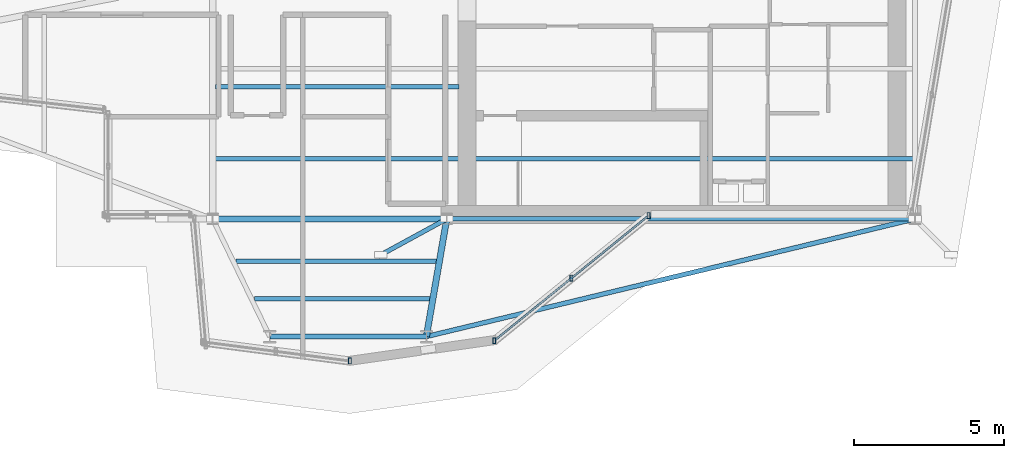
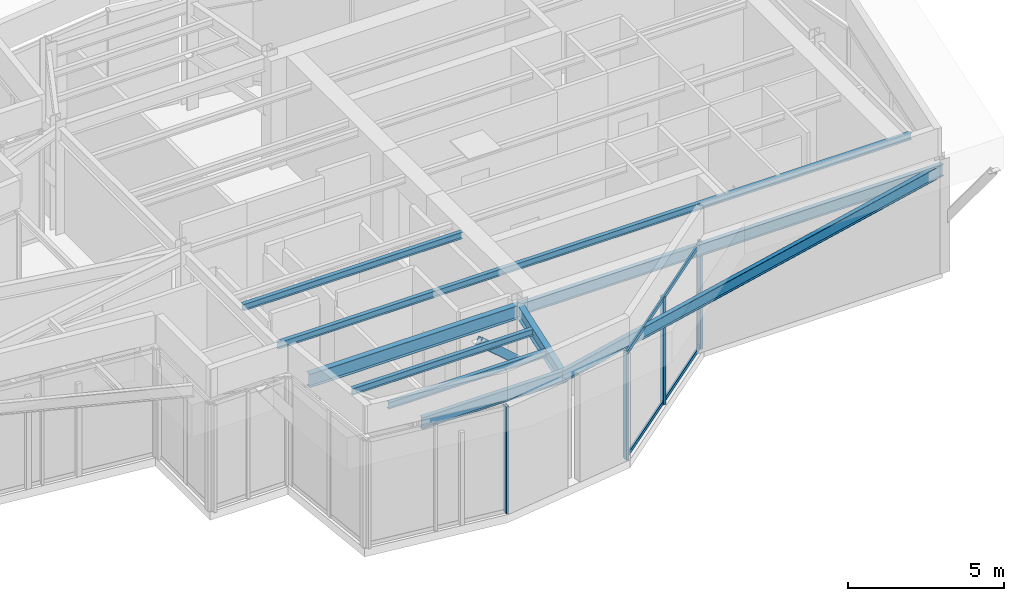
# One storey, part 3 of 11: 8 beams, 8 members, 2 elements without a shape of their own.
"""IFC4 building model written with IfcOpenShell, lengths in metres."""

from ifc_helpers import new_model, si_unit, direction, frame, origin, origin_2d, place, context, subcontext, project, spatial, hollow_rectangle, i_section, extrude, material, layer, layer_set, material_profile, profile_set, type_object, element, aggregate, save


model = new_model("IFC4")

# Units and contexts
model_context = context("Model", 3, precision=1e-05, world=origin(), true_north=direction((0.0, 1.0)))
body_context = subcontext(model_context, "Body", "Model", "MODEL_VIEW")
ifc_project = project(units=[si_unit("LENGTHUNIT", "METRE"), si_unit("AREAUNIT", "SQUARE_METRE"), si_unit("VOLUMEUNIT", "CUBIC_METRE"), si_unit("PLANEANGLEUNIT", "RADIAN"), si_unit("MASSUNIT", "GRAM", prefix="KILO")], contexts=[model_context])

# Site, building, storey
site_placement = place(None, origin())
site = spatial("IfcSite", under=ifc_project, at=site_placement, CompositionType="ELEMENT")
building_placement = place(site_placement, origin())
building = spatial("IfcBuilding", under=site, at=building_placement, Name="Veymaron Broadcast Tower", CompositionType="ELEMENT")
storey_placement = place(building_placement, frame((0.0, 0.0, 336.89990234375)))
storey = spatial("IfcBuildingStorey", under=building, at=storey_placement, Name="L79", CompositionType="ELEMENT", Elevation=336.89990234375)

# Beams
ifc_material_1 = material(Name="Structural steel ASTM A992 Gr 50", Category="steel")
ifc_material_profile_1 = material_profile(ifc_material_1, i_section(OverallWidth=0.208984375, OverallDepth=0.528076171875, WebThickness=0.009521484375, FlangeThickness=0.01318359375, at=origin_2d()), Name="W530X82")
ifc_profile_set_1 = profile_set([ifc_material_profile_1], Name="Structural steel ASTM A992 Gr 50")
beam_type_1 = type_object("IfcBeamType", Name="BM-FG4", PredefinedType="BEAM", material=ifc_profile_set_1)
beam_1_placement = place(storey_placement, frame((31.199951171875, 16.0, 3.906005859375), z_axis=(1.0, 0.0, 0.0), x_axis=(0.0, 1.0, 0.0)))
element("IfcBeam", 1, at=beam_1_placement, inside=storey, type_object=beam_type_1, Name="L79 primary structural floor girder", PredefinedType="BEAM", context=body_context, shape_type="SweptSolid", body=[
    extrude(i_section(OverallWidth=0.208984375, OverallDepth=0.528076171875, WebThickness=0.009521484375, FlangeThickness=0.01318359375, at=origin_2d()), origin(), (0.0, 0.0, 1.0), 7.800048828125),
])
beam_2_placement = place(storey_placement, frame((39.0, 16.0, 3.906005859375), z_axis=(-0.170903490874, -0.985287773601, 0.0), x_axis=(0.985287773601, -0.170903490874, 0.0)))
element("IfcBeam", 2, at=beam_2_placement, inside=storey, type_object=beam_type_1, Name="L79 primary structural floor girder", PredefinedType="BEAM", context=body_context, shape_type="SweptSolid", body=[
    extrude(i_section(OverallWidth=0.208984375, OverallDepth=0.528076171875, WebThickness=0.009521484375, FlangeThickness=0.01318359375, at=origin_2d()), origin(), (0.0, 0.0, 1.0), 3.978515625),
])
ifc_material_profile_2 = material_profile(ifc_material_1, i_section(OverallWidth=0.14599609375, OverallDepth=0.258056640625, WebThickness=0.006103515625, FlangeThickness=0.009033203125, at=origin_2d()), Name="W250X33")
ifc_profile_set_2 = profile_set([ifc_material_profile_2], Name="Structural steel ASTM A992 Gr 50")
beam_type_2 = type_object("IfcBeamType", Name="BM-JS4", PredefinedType="JOIST", material=ifc_profile_set_2)
beam_3_placement = place(storey_placement, frame((31.9853515625, 14.5888671875, 4.041015625), z_axis=(1.0, 0.0, 0.0), x_axis=(0.0, 1.0, 0.0)))
element("IfcBeam", 3, at=beam_3_placement, inside=storey, type_object=beam_type_2, Name="L79 Arm-C secondary joist 1", PredefinedType="JOIST", context=body_context, shape_type="SweptSolid", body=[
    extrude(i_section(OverallWidth=0.14599609375, OverallDepth=0.258056640625, WebThickness=0.006103515625, FlangeThickness=0.009033203125, at=origin_2d()), origin(), (0.0, 0.0, 1.0), 6.669921875),
])
beam_4_placement = place(storey_placement, frame((32.5947265625, 13.33447265625, 4.041015625), z_axis=(1.0, 0.0, 0.0), x_axis=(0.0, 1.0, 0.0)))
element("IfcBeam", 4, at=beam_4_placement, inside=storey, type_object=beam_type_2, Name="L79 Arm-C secondary joist 2", PredefinedType="JOIST", context=body_context, shape_type="SweptSolid", body=[
    extrude(i_section(OverallWidth=0.14599609375, OverallDepth=0.258056640625, WebThickness=0.006103515625, FlangeThickness=0.009033203125, at=origin_2d()), origin(), (0.0, 0.0, 1.0), 5.8427734375),
])
beam_5_placement = place(storey_placement, frame((31.300048828125, 20.39990234375, 4.041015625), z_axis=(1.0, 0.0, 0.0), x_axis=(0.0, 1.0, 0.0)))
element("IfcBeam", 5, at=beam_5_placement, inside=storey, type_object=beam_type_2, Name="L79 Hub secondary joist 2", PredefinedType="JOIST", context=body_context, shape_type="SweptSolid", body=[
    extrude(i_section(OverallWidth=0.14599609375, OverallDepth=0.258056640625, WebThickness=0.006103515625, FlangeThickness=0.009033203125, at=origin_2d()), origin(), (0.0, 0.0, 1.0), 8.099853515625),
])
ifc_material_profile_3 = material_profile(ifc_material_1, i_section(OverallWidth=0.154052734375, OverallDepth=0.458984375, WebThickness=0.009033203125, FlangeThickness=0.015380859375, at=origin_2d()), Name="W460X68")
ifc_profile_set_3 = profile_set([ifc_material_profile_3], Name="Structural steel ASTM A992 Gr 50")
beam_type_3 = type_object("IfcBeamType", Name="BM-SP2", PredefinedType="SPANDREL", material=ifc_profile_set_3)
beam_6_placement = place(storey_placement, frame((39.0, 16.0, 3.940673828125), z_axis=(1.0, 0.0, 0.0), x_axis=(0.0, 1.0, 0.0)))
element("IfcBeam", 6, at=beam_6_placement, inside=storey, type_object=beam_type_3, Name="L79 primary structural floor girder", PredefinedType="SPANDREL", context=body_context, shape_type="SweptSolid", body=[
    extrude(i_section(OverallWidth=0.154052734375, OverallDepth=0.458984375, WebThickness=0.009033203125, FlangeThickness=0.015380859375, at=origin_2d()), origin(), (0.0, 0.0, 1.0), 15.60009765625),
])
beam_7_placement = place(storey_placement, frame((54.60009765625, 16.0, 3.940673828125), z_axis=(-0.972214727981, -0.23409084283, 0.0), x_axis=(0.23409084283, -0.972214727981, 0.0)))
element("IfcBeam", 7, at=beam_7_placement, inside=storey, type_object=beam_type_3, Name="L79 primary structural floor girder", PredefinedType="SPANDREL", context=body_context, shape_type="SweptSolid", body=[
    extrude(i_section(OverallWidth=0.154052734375, OverallDepth=0.458984375, WebThickness=0.009033203125, FlangeThickness=0.015380859375, at=origin_2d()), origin(), (0.0, 0.0, 1.0), 16.745361328125),
])
beam_8_placement = place(storey_placement, frame((33.10400390625, 12.080078125, 3.940673828125), z_axis=(1.0, 0.0, 0.0), x_axis=(0.0, 1.0, 0.0)))
element("IfcBeam", 8, at=beam_8_placement, inside=storey, type_object=beam_type_3, Name="L79 primary structural floor girder", PredefinedType="SPANDREL", context=body_context, shape_type="SweptSolid", body=[
    extrude(i_section(OverallWidth=0.154052734375, OverallDepth=0.458984375, WebThickness=0.009033203125, FlangeThickness=0.015380859375, at=origin_2d()), origin(), (0.0, 0.0, 1.0), 5.216064453125),
])

# Curtain wall, member
ifc_material_2 = material(Name="Anodised aluminium AA 6063-T6 and laminated low-E dark glass", Category="aluminium")
ifc_layer = layer(ifc_material_2, 0.179931640625)
ifc_layer_set = layer_set([ifc_layer], Name="Anodised aluminium AA 6063-T6 and laminated low-E dark glass")
curtain_wall_type = type_object("IfcCurtainWallType", Name="CW-SYS-07", PredefinedType="NOTDEFINED", material=ifc_layer_set)
curtain_wall_1_placement = place(storey_placement, origin())
curtain_wall_1 = element("IfcCurtainWall", 9, at=curtain_wall_1_placement, inside=storey, type_object=curtain_wall_type, Name="L79 dark-glass curtain wall CW-L79-E18-1", PredefinedType="NOTDEFINED")
ifc_material_3 = material(Name="Anodised aluminium AA 6063-T6", Category="aluminium")
ifc_material_profile_4 = material_profile(ifc_material_3, hollow_rectangle(XDim=0.10009765625, YDim=0.199951171875, WallThickness=0.010009765625, at=origin_2d()), Name="RHS200X100X10")
ifc_profile_set_4 = profile_set([ifc_material_profile_4], Name="Anodised aluminium AA 6063-T6")
member_type_1 = type_object("IfcMemberType", Name="CW-MUL-01", PredefinedType="MULLION", material=ifc_profile_set_4)
member_1_placement = place(storey_placement, frame((35.77001953125, 11.266845703125, 0.0), z_axis=(0.0, 0.0, 1.0), x_axis=(1.0, 0.0, 0.0)))
member_1 = element("IfcMember", 10, at=member_1_placement, type_object=member_type_1, Name="CW-L79-E18-1 mullion 2", PredefinedType="MULLION", context=body_context, shape_type="SweptSolid", body=[
    extrude(hollow_rectangle(XDim=0.10009765625, YDim=0.199951171875, WallThickness=0.010009765625, at=origin_2d()), origin(), (0.0, 0.0, 1.0), 4.170166015625),
])
aggregate(curtain_wall_1, [member_1])

# Curtain wall, members
curtain_wall_2_placement = place(storey_placement, origin())
curtain_wall_2 = element("IfcCurtainWall", 11, at=curtain_wall_2_placement, inside=storey, type_object=curtain_wall_type, Name="L79 dark-glass curtain wall CW-L79-E20-1", PredefinedType="NOTDEFINED")
member_2_placement = place(storey_placement, frame((40.58349609375, 11.94091796875, 0.0), z_axis=(0.0, 0.0, 1.0), x_axis=(1.0, 0.0, 0.0)))
member_2 = element("IfcMember", 12, at=member_2_placement, type_object=member_type_1, Name="CW-L79-E20-1 mullion 0", PredefinedType="MULLION", context=body_context, shape_type="SweptSolid", body=[
    extrude(hollow_rectangle(XDim=0.10009765625, YDim=0.199951171875, WallThickness=0.010009765625, at=origin_2d()), origin(), (0.0, 0.0, 1.0), 4.170166015625),
])
member_3_placement = place(storey_placement, frame((43.154296875, 14.02490234375, 0.0), z_axis=(0.0, 0.0, 1.0), x_axis=(1.0, 0.0, 0.0)))
member_3 = element("IfcMember", 13, at=member_3_placement, type_object=member_type_1, Name="CW-L79-E20-1 mullion 1", PredefinedType="MULLION", context=body_context, shape_type="SweptSolid", body=[
    extrude(hollow_rectangle(XDim=0.10009765625, YDim=0.199951171875, WallThickness=0.010009765625, at=origin_2d()), origin(), (0.0, 0.0, 1.0), 4.170166015625),
])
member_4_placement = place(storey_placement, frame((45.724853515625, 16.10888671875, 0.0), z_axis=(0.0, 0.0, 1.0), x_axis=(1.0, 0.0, 0.0)))
member_4 = element("IfcMember", 14, at=member_4_placement, type_object=member_type_1, Name="CW-L79-E20-1 mullion 2", PredefinedType="MULLION", context=body_context, shape_type="SweptSolid", body=[
    extrude(hollow_rectangle(XDim=0.10009765625, YDim=0.199951171875, WallThickness=0.010009765625, at=origin_2d()), origin(), (0.0, 0.0, 1.0), 4.170166015625),
])
ifc_material_profile_5 = material_profile(ifc_material_3, hollow_rectangle(XDim=0.06494140625, YDim=0.14990234375, WallThickness=0.00390625, at=origin_2d()), Name="AL150X65X4")
ifc_profile_set_5 = profile_set([ifc_material_profile_5], Name="Anodised aluminium AA 6063-T6")
member_type_2 = type_object("IfcMemberType", Name="CW-TRN-01", PredefinedType="USERDEFINED", material=ifc_profile_set_5)
member_5_placement = place(storey_placement, frame((40.622314453125, 11.972412109375, 0.070068359375), z_axis=(0.776811207075, 0.629733553626, 0.0), x_axis=(-0.629733553626, 0.776811207075, 0.0)))
member_5 = element("IfcMember", 15, at=member_5_placement, type_object=member_type_2, Name="CW-L79-E20-1 transom B", ObjectType="TRANSOM", PredefinedType="USERDEFINED", context=body_context, shape_type="SweptSolid", body=[
    extrude(hollow_rectangle(XDim=0.06494140625, YDim=0.14990234375, WallThickness=0.00390625, at=origin_2d()), origin(), (0.0, 0.0, 1.0), 6.5185546875),
])
member_6_placement = place(storey_placement, frame((40.622314453125, 11.972412109375, 4.10009765625), z_axis=(0.776811207075, 0.629733553626, 0.0), x_axis=(-0.629733553626, 0.776811207075, 0.0)))
member_6 = element("IfcMember", 16, at=member_6_placement, type_object=member_type_2, Name="CW-L79-E20-1 transom T", ObjectType="TRANSOM", PredefinedType="USERDEFINED", context=body_context, shape_type="SweptSolid", body=[
    extrude(hollow_rectangle(XDim=0.06494140625, YDim=0.14990234375, WallThickness=0.00390625, at=origin_2d()), origin(), (0.0, 0.0, 1.0), 6.5185546875),
])
aggregate(curtain_wall_2, [member_2, member_3, member_4, member_5, member_6])

# Members
ifc_material_profile_6 = material_profile(ifc_material_1, i_section(OverallWidth=0.14599609375, OverallDepth=0.258056640625, WebThickness=0.006103515625, FlangeThickness=0.009033203125, at=origin_2d()), Name="W250X33")
ifc_profile_set_6 = profile_set([ifc_material_profile_6], Name="Structural steel ASTM A992 Gr 50")
member_type_3 = type_object("IfcMemberType", Name="MEM-PR1", PredefinedType="PURLIN", material=ifc_profile_set_6)
member_7_placement = place(storey_placement, frame((31.199951171875, 18.0, 4.0400390625), z_axis=(1.0, 0.0, 0.0), x_axis=(0.0, 1.0, 0.0)))
element("IfcMember", 17, at=member_7_placement, inside=storey, type_object=member_type_3, Name="L79 Crown Parasol Canopy Purlin 1", PredefinedType="PURLIN", context=body_context, shape_type="SweptSolid", body=[
    extrude(i_section(OverallWidth=0.14599609375, OverallDepth=0.258056640625, WebThickness=0.006103515625, FlangeThickness=0.009033203125, at=origin_2d()), origin(), (0.0, 0.0, 1.0), 23.400146484375),
])
ifc_material_profile_7 = material_profile(ifc_material_1, hollow_rectangle(XDim=0.14990234375, YDim=0.300048828125, WallThickness=0.011962890625, at=origin_2d()), Name="RHS300X150X12")
ifc_profile_set_7 = profile_set([ifc_material_profile_7], Name="Structural steel ASTM A992 Gr 50")
member_type_4 = type_object("IfcMemberType", Name="MEM-SR1", PredefinedType="STRUT", material=ifc_profile_set_7)
member_8_placement = place(storey_placement, frame((39.0, 16.0, 1.900146484375), z_axis=(-0.649345923099, -0.354182134284, 0.672982085875), x_axis=(0.47884530469, -0.877899296147, 0.0)))
element("IfcMember", 18, at=member_8_placement, inside=storey, type_object=member_type_4, Name="L79 Crown Parasol Strut 1", PredefinedType="STRUT", context=body_context, shape_type="SweptSolid", body=[
    extrude(hollow_rectangle(XDim=0.14990234375, YDim=0.300048828125, WallThickness=0.011962890625, at=origin_2d()), origin(), (0.0, 0.0, 1.0), 3.387939453125),
])

save(model, "model.ifc")
